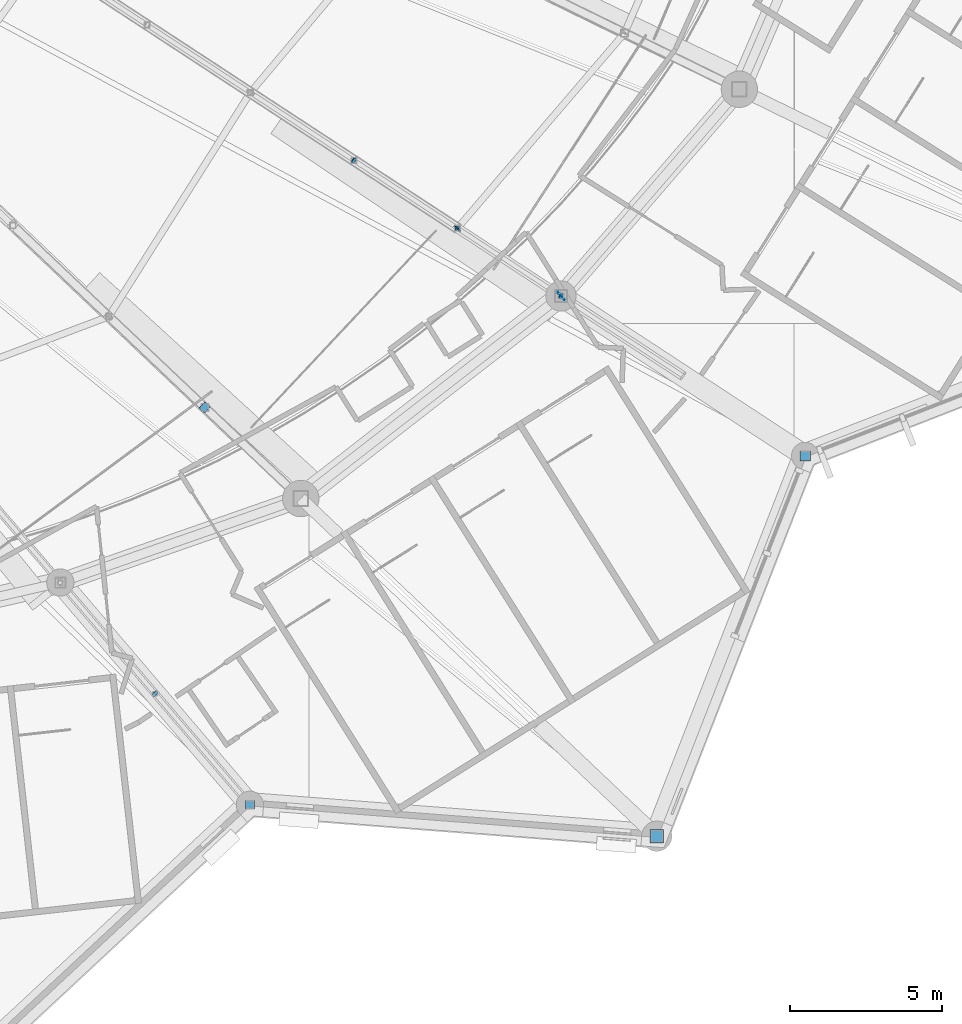
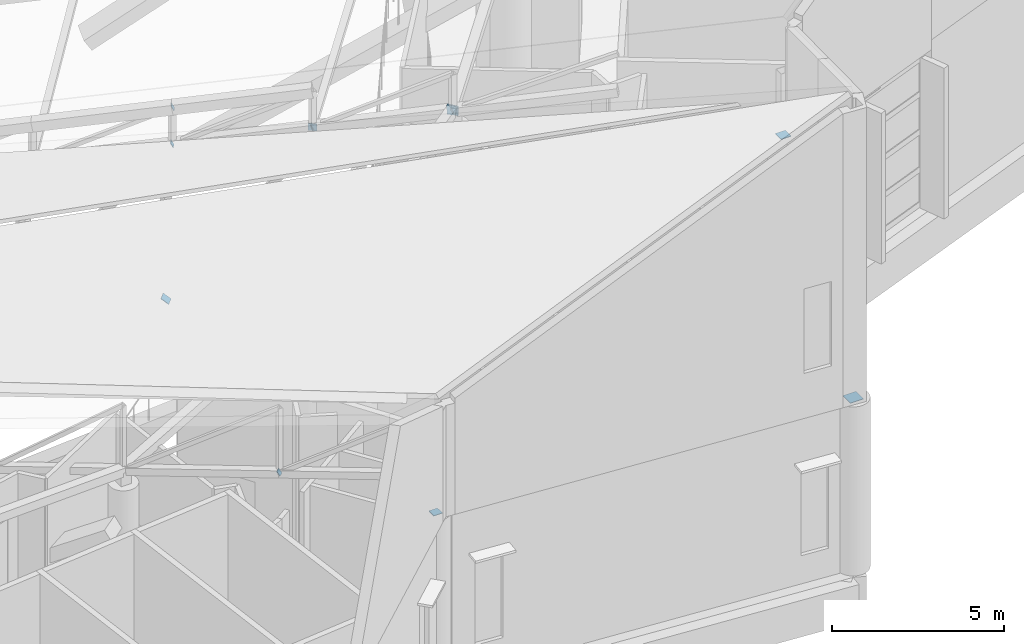
# One storey, part 297 of 344: 12 discrete accessories.
"""IFC4 building model written with IfcOpenShell, lengths in metres."""

from ifc_helpers import new_model, si_unit, direction, frame, origin, origin_2d, place, context, subcontext, project, spatial, rectangle, extrude, material, material_profile, profile_set, type_object, element, save


model = new_model("IFC4")

# Units and contexts
model_context = context("Model", 3, precision=1e-05, world=origin(), true_north=direction((0.0, 1.0)))
body_context = subcontext(model_context, "Body", "Model", "MODEL_VIEW")
ifc_project = project(units=[si_unit("LENGTHUNIT", "METRE"), si_unit("AREAUNIT", "SQUARE_METRE"), si_unit("VOLUMEUNIT", "CUBIC_METRE"), si_unit("PLANEANGLEUNIT", "RADIAN"), si_unit("MASSUNIT", "GRAM", prefix="KILO")], contexts=[model_context])

# Site, building, storey
site_placement = place(None, origin())
site = spatial("IfcSite", under=ifc_project, at=site_placement, CompositionType="ELEMENT")
building_placement = place(site_placement, origin())
building = spatial("IfcBuilding", under=site, at=building_placement, Name="Meseta Stadium", CompositionType="ELEMENT")
storey_placement = place(building_placement, frame((0.0, 0.0, 24.0)))
storey = spatial("IfcBuildingStorey", under=building, at=storey_placement, Name="L04", CompositionType="ELEMENT", Elevation=24.0)

# Discrete accessories
ifc_material_1 = material(Name="Steel S355", Category="steel")
ifc_material_profile_1 = material_profile(ifc_material_1, rectangle(XDim=0.179931640625, YDim=0.179931640625, at=origin_2d()), Name="PL 180x180")
ifc_profile_set_1 = profile_set([ifc_material_profile_1], Name="Steel S355")
discrete_accessory_type_1 = type_object("IfcDiscreteAccessoryType", Name="End plate 180x180x20", PredefinedType="ANCHORPLATE", material=ifc_profile_set_1)
discrete_accessory_1_placement = place(storey_placement, frame((58.914794921875, -92.19482421875, 6.26953125), z_axis=(0.539440954056, -0.625261105838, 0.563960997422), x_axis=(0.757156729179, 0.653233256547, 0.0)))
element("IfcDiscreteAccessory", 1, at=discrete_accessory_1_placement, inside=storey, type_object=discrete_accessory_type_1, Name="End plate of ROOF TRUSS RT-51 diagonal", PredefinedType="ANCHORPLATE", context=body_context, shape_type="SweptSolid", body=[
    extrude(rectangle(XDim=0.179931640625, YDim=0.179931640625, at=origin_2d()), origin(), (0.0, 0.0, 1.0), 0.02001953125),
])
discrete_accessory_2_placement = place(storey_placement, frame((65.482421875, -74.6181640625, 6.282958984375), z_axis=(0.751142776324, -0.48460824279, 0.448262624581), x_axis=(0.542126869822, 0.840296648224, 0.0)))
element("IfcDiscreteAccessory", 2, at=discrete_accessory_2_placement, inside=storey, type_object=discrete_accessory_type_1, Name="End plate of ROOF TRUSS RT-53 diagonal", PredefinedType="ANCHORPLATE", context=body_context, shape_type="SweptSolid", body=[
    extrude(rectangle(XDim=0.179931640625, YDim=0.179931640625, at=origin_2d()), origin(), (0.0, 0.0, 1.0), 0.020263671875),
])
for number, where, z_axis, x_axis, name in (
    (3, (65.467529296875, -74.6083984375, 4.973876953125), (0.745790378384, -0.489042871072, 0.452364655741), (0.54835696222, 0.836244367386, 0.0), "End plate of ROOF TRUSS RT-53 diagonal"),
    (4, (68.88232421875, -76.844970703125, 5.733154296875), (0.745790378384, -0.489042871072, 0.452364655741), (0.54835696222, 0.836244367386, 0.0), "End plate of ROOF TRUSS RT-53 diagonal"),
    (5, (72.296630859375, -79.0810546875, 6.492919921875), (0.763650388566, -0.496978824305, 0.412128781131), (0.545455886295, 0.8381395326, 0.0), "End plate of ROOF TRUSS RT-53 diagonal"),
):
    element("IfcDiscreteAccessory", number, at=place(storey_placement, frame(where, z_axis=z_axis, x_axis=x_axis)), inside=storey, type_object=discrete_accessory_type_1, Name=name, PredefinedType="ANCHORPLATE", context=body_context, shape_type="SweptSolid", body=[
        extrude(rectangle(XDim=0.179931640625, YDim=0.179931640625, at=origin_2d()), origin(), (0.0, 0.0, 1.0), 0.02001953125),
    ])
ifc_material_2 = material(Name="Steel S355", Category="steel")
ifc_material_profile_2 = material_profile(ifc_material_2, rectangle(XDim=0.260009765625, YDim=0.260009765625, at=origin_2d()), Name="PL 260x260")
ifc_profile_set_2 = profile_set([ifc_material_profile_2], Name="Steel S355")
discrete_accessory_type_2 = type_object("IfcDiscreteAccessoryType", Name="End plate 260x260x20", PredefinedType="ANCHORPLATE", material=ifc_profile_set_2)
discrete_accessory_3_placement = place(storey_placement, frame((68.88427734375, -76.869873046875, 5.7412109375), z_axis=(0.649001216561, 0.759208970316, 0.048981223891), x_axis=(-0.760121344352, 0.649781149204, 0.0)))
element("IfcDiscreteAccessory", 6, at=discrete_accessory_3_placement, inside=storey, type_object=discrete_accessory_type_2, Name="End plate of ROOF TRUSS STRUT RT-53/54", PredefinedType="ANCHORPLATE", context=body_context, shape_type="SweptSolid", body=[
    extrude(rectangle(XDim=0.260009765625, YDim=0.260009765625, at=origin_2d()), origin(), (0.0, 0.0, 1.0), 0.02001953125),
])
ifc_material_3 = material(Name="Steel S355", Category="steel")
ifc_material_profile_3 = material_profile(ifc_material_3, rectangle(XDim=0.2900390625, YDim=0.2900390625, at=origin_2d()), Name="PL 290x290")
ifc_profile_set_3 = profile_set([ifc_material_profile_3], Name="Steel S355")
discrete_accessory_type_3 = type_object("IfcDiscreteAccessoryType", Name="End plate 290x290x20", PredefinedType="ANCHORPLATE", material=ifc_profile_set_3)
for number, where, z_axis, x_axis, name in (
    (7, (60.557373046875, -82.7607421875, 6.128662109375), (0.416340403077, -0.391849791131, 0.820435500181), (0.685364699005, 0.728199992693, 0.0), "End plate of ROOF TRUSS RT-52 diagonal"),
    (8, (62.051513671875, -95.872802734375, 5.97998046875), (0.0, 0.0, 1.0), (1.0, 0.0, 0.0), "End plate of ROOF RIM POST RT-51"),
):
    element("IfcDiscreteAccessory", number, at=place(storey_placement, frame(where, z_axis=z_axis, x_axis=x_axis)), inside=storey, type_object=discrete_accessory_type_3, Name=name, PredefinedType="ANCHORPLATE", context=body_context, shape_type="SweptSolid", body=[
        extrude(rectangle(XDim=0.2900390625, YDim=0.2900390625, at=origin_2d()), origin(), (0.0, 0.0, 1.0), 0.02001953125),
    ])
ifc_material_4 = material(Name="Steel S355", Category="steel")
ifc_material_profile_4 = material_profile(ifc_material_4, rectangle(XDim=0.340087890625, YDim=0.340087890625, at=origin_2d()), Name="PL 340x340")
ifc_profile_set_4 = profile_set([ifc_material_profile_4], Name="Steel S355")
discrete_accessory_type_4 = type_object("IfcDiscreteAccessoryType", Name="End plate 340x340x20", PredefinedType="ANCHORPLATE", material=ifc_profile_set_4)
for number, where, z_axis, x_axis, name in (
    (9, (80.365478515625, -84.365478515625, 5.97998046875), (0.0, 0.0, 1.0), (1.0, 0.0, 0.0), "End plate of ROOF RIM POST RT-53"),
    (10, (72.31201171875, -79.091064453125, 6.501220703125), (0.782001169184, 0.623157181694, -0.012218768269), (-0.623203705056, 0.782059551443, 0.0), "End plate of ROOF PIVOT STRUT RT-52/53"),
    (11, (72.298828125, -79.106201171875, 6.500732421875), (0.656586517166, 0.753858593783, 0.024318019154), (-0.754081595886, 0.656780744804, 0.0), "End plate of ROOF PIVOT STRUT RT-53/54"),
):
    element("IfcDiscreteAccessory", number, at=place(storey_placement, frame(where, z_axis=z_axis, x_axis=x_axis)), inside=storey, type_object=discrete_accessory_type_4, Name=name, PredefinedType="ANCHORPLATE", context=body_context, shape_type="SweptSolid", body=[
        extrude(rectangle(XDim=0.340087890625, YDim=0.340087890625, at=origin_2d()), origin(), (0.0, 0.0, 1.0), 0.02001953125),
    ])
ifc_material_5 = material(Name="Steel S355", Category="steel")
ifc_material_profile_5 = material_profile(ifc_material_5, rectangle(XDim=0.43994140625, YDim=0.43994140625, at=origin_2d()), Name="PL 440x440")
ifc_profile_set_5 = profile_set([ifc_material_profile_5], Name="Steel S355")
discrete_accessory_type_5 = type_object("IfcDiscreteAccessoryType", Name="End plate 440x440x20", PredefinedType="ANCHORPLATE", material=ifc_profile_set_5)
discrete_accessory_4_placement = place(storey_placement, frame((75.474609375, -96.908447265625, 5.97998046875), z_axis=(0.0, 0.0, 1.0), x_axis=(1.0, 0.0, 0.0)))
element("IfcDiscreteAccessory", 12, at=discrete_accessory_4_placement, inside=storey, type_object=discrete_accessory_type_5, Name="End plate of ROOF RIM POST RT-52", PredefinedType="ANCHORPLATE", context=body_context, shape_type="SweptSolid", body=[
    extrude(rectangle(XDim=0.43994140625, YDim=0.43994140625, at=origin_2d()), origin(), (0.0, 0.0, 1.0), 0.02001953125),
])

save(model, "model.ifc")
